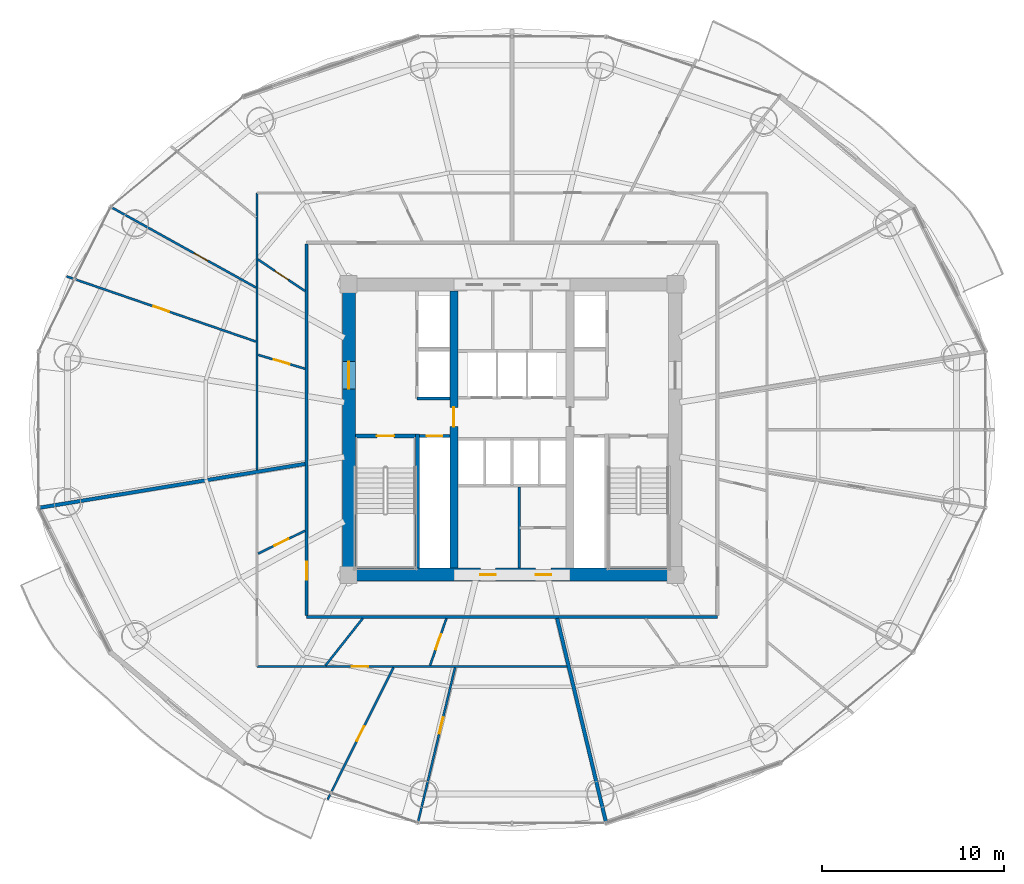
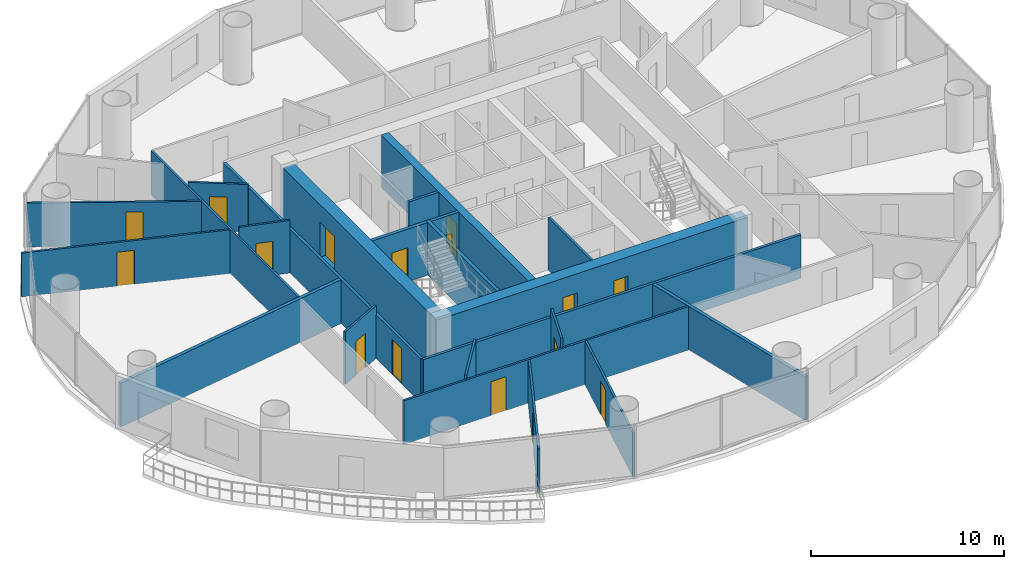
# One storey, part 22 of 29: 23 walls, 16 doors, 16 openings.
"""IFC4 building model written with IfcOpenShell, lengths in metres."""

from ifc_helpers import new_model, si_unit, direction, frame, frame_2d, origin, place, context, subcontext, project, spatial, rectangle, extrude, source, transform, mapped, material, layer, layer_set, type_object, element, fill, save


model = new_model("IFC4")

# Units and contexts
model_context = context("Model", 3, precision=1e-05, world=origin(), true_north=direction((-0.2419218956, 0.970295726276)))
body_context = subcontext(model_context, "Body", "Model", "MODEL_VIEW")
ifc_project = project(units=[si_unit("LENGTHUNIT", "METRE"), si_unit("AREAUNIT", "SQUARE_METRE"), si_unit("VOLUMEUNIT", "CUBIC_METRE"), si_unit("PLANEANGLEUNIT", "RADIAN"), si_unit("MASSUNIT", "GRAM", prefix="KILO")], contexts=[model_context])

# Site, building, storey
site_placement = place(None, origin())
site = spatial("IfcSite", under=ifc_project, at=site_placement, CompositionType="ELEMENT")
building_placement = place(site_placement, origin())
building = spatial("IfcBuilding", under=site, at=building_placement, Name="Cobrevalo Terracotta Tower", CompositionType="ELEMENT")
storey_placement = place(building_placement, frame((0.0, 0.0, 83.39990234375)))
storey = spatial("IfcBuildingStorey", under=building, at=storey_placement, Name="L21", CompositionType="ELEMENT", Elevation=83.39990234375)

# Wall, openings, doors
ifc_material_1 = material(Name="Concrete C60", Category="concrete")
ifc_layer_1 = layer(ifc_material_1, 0.699951171875)
ifc_layer_set_1 = layer_set([ifc_layer_1], Name="Concrete C60")
wall_type_1 = type_object("IfcWallType", Name="Core shear wall 700 mm Concrete C60", PredefinedType="SHEAR", material=ifc_layer_set_1)
wall_1_placement = place(storey_placement, frame((28.675048828125, 18.824951171875, 0.0), z_axis=(0.0, 0.0, 1.0), x_axis=(1.0, 0.0, 0.0)))
wall_1 = element("IfcWall", 1, at=wall_1_placement, inside=storey, type_object=wall_type_1, Name="L21 south core shear wall", PredefinedType="SHEAR", context=body_context, shape_type="SweptSolid", body=[
    extrude(rectangle(XDim=18.64990234375, YDim=0.699951171875, at=frame_2d((9.324951171875, 0.0))), origin(), (0.0, 0.0, 1.0), 3.3251953125),
])
opening_1_placement = place(wall_1_placement, frame((7.577392578125, 0.0, 0.0)))
opening_1 = element("IfcOpeningElement", 2, at=opening_1_placement, cuts=wall_1, Name="Opening ID-22", PredefinedType="OPENING", context=body_context, shape_type="SweptSolid", body=[
    extrude(rectangle(XDim=0.85009765625, YDim=2.10009765625, at=frame_2d((0.425048828125, 1.050048828125))), frame((0.0, 0.35986328125, 0.0), z_axis=(0.0, -1.0, 0.0), x_axis=(1.0, 0.0, 0.0)), (0.0, 0.0, 1.0), 0.719970703125),
])
opening_2_placement = place(wall_1_placement, frame((10.62255859375, 0.0, 0.0)))
opening_2 = element("IfcOpeningElement", 3, at=opening_2_placement, cuts=wall_1, Name="Opening ID-22", PredefinedType="OPENING", context=body_context, shape_type="SweptSolid", body=[
    extrude(rectangle(XDim=0.85009765625, YDim=2.10009765625, at=frame_2d((0.425048828125, 1.050048828125))), frame((0.0, 0.35986328125, 0.0), z_axis=(0.0, -1.0, 0.0), x_axis=(1.0, 0.0, 0.0)), (0.0, 0.0, 1.0), 0.719970703125),
])
ifc_material_2 = material(Name="Powder-coated steel", Category="steel")
door_type_1 = type_object("IfcDoorType", Name="Riser shaft & meter closet fire access door 850x2100 EI 60", OperationType="NOTDEFINED", PredefinedType="DOOR", material=ifc_material_2)
shared_shape_1 = source(origin(), body_context, "Body", "SweptSolid", [
    extrude(rectangle(XDim=0.85009765625, YDim=2.10009765625, at=frame_2d((0.425048828125, 1.050048828125))), frame((0.0, 0.02490234375, 0.0), z_axis=(0.0, -1.0, 0.0), x_axis=(1.0, 0.0, 0.0)), (0.0, 0.0, 1.0), 0.050048828125),
])
door_1_placement = place(opening_1_placement, origin())
door_1 = element("IfcDoor", 4, at=door_1_placement, inside=storey, type_object=door_type_1, Name="L21 core south plant door Floor AHU Mechanical Plant", OperationType="SINGLE_SWING_RIGHT", OverallHeight=2.10009765625, OverallWidth=0.85009765625, PredefinedType="DOOR", context=body_context, shape_type="MappedRepresentation", body=[
    mapped(shared_shape_1, transform((0.0, 0.0, 0.0), scale=1.0)),
])
fill(opening_1, door_1)
door_2_placement = place(opening_2_placement, origin())
door_2 = element("IfcDoor", 5, at=door_2_placement, inside=storey, type_object=door_type_1, Name="L21 core south plant door Sprinkler Valve Plant", OperationType="SINGLE_SWING_RIGHT", OverallHeight=2.10009765625, OverallWidth=0.85009765625, PredefinedType="DOOR", context=body_context, shape_type="MappedRepresentation", body=[
    mapped(shared_shape_1, transform((0.0, 0.0, 0.0), scale=1.0)),
])
fill(opening_2, door_2)

# Wall, opening, door
wall_2_placement = place(storey_placement, frame((29.02490234375, 19.175048828125, 0.0), z_axis=(0.0, 0.0, 1.0), x_axis=(0.0, 1.0, 0.0)))
wall_2 = element("IfcWall", 6, at=wall_2_placement, inside=storey, type_object=wall_type_1, Name="L21 west core shear wall", PredefinedType="SHEAR", context=body_context, shape_type="SweptSolid", body=[
    extrude(rectangle(XDim=15.25, YDim=0.699951171875, at=frame_2d((7.625, 0.0))), origin(), (0.0, 0.0, 1.0), 3.3251953125),
])
opening_3_placement = place(wall_2_placement, frame((9.875, 0.0, 0.0)))
opening_3 = element("IfcOpeningElement", 7, at=opening_3_placement, cuts=wall_2, Name="Opening ID-14", PredefinedType="OPENING", context=body_context, shape_type="SweptSolid", body=[
    extrude(rectangle(XDim=1.5, YDim=2.199951171875, at=frame_2d((0.75, 1.10009765625))), frame((0.0, 0.35986328125, 0.0), z_axis=(0.0, -1.0, 0.0), x_axis=(1.0, 0.0, 0.0)), (0.0, 0.0, 1.0), 0.719970703125),
])
ifc_material_3 = material(Name="Galvanized fire-rated steel", Category="steel")
door_type_2 = type_object("IfcDoorType", Name="Core cross-lobby double fire door 1500x2200 EI 90", OperationType="NOTDEFINED", PredefinedType="DOOR", material=ifc_material_3)
shared_shape_2 = source(origin(), body_context, "Body", "SweptSolid", [
    extrude(rectangle(XDim=1.5, YDim=2.199951171875, at=frame_2d((0.75, 1.10009765625))), frame((0.0, 0.02490234375, 0.0), z_axis=(0.0, -1.0, 0.0), x_axis=(1.0, 0.0, 0.0)), (0.0, 0.0, 1.0), 0.050048828125),
])
door_3_placement = place(opening_3_placement, origin())
door_3 = element("IfcDoor", 8, at=door_3_placement, inside=storey, type_object=door_type_2, Name="L21 west firefighting lobby entrance door", OperationType="DOUBLE_DOOR_SINGLE_SWING", OverallHeight=2.199951171875, OverallWidth=1.5, PredefinedType="DOOR", context=body_context, shape_type="MappedRepresentation", body=[
    mapped(shared_shape_2, transform((0.0, 0.0, 0.0), scale=1.0)),
])
fill(opening_3, door_3)

# Walls
ifc_material_4 = material(Name="Gypsum board on steel stud", Category="steel")
ifc_layer_2 = layer(ifc_material_4, 0.159912109375)
ifc_layer_set_2 = layer_set([ifc_layer_2], Name="Gypsum board on steel stud")
wall_type_2 = type_object("IfcWallType", Name="Fire-rated corridor acoustic partition wall 160 mm", PredefinedType="PARTITIONING", material=ifc_layer_set_2)
wall_3_placement = place(storey_placement, frame((32.77001953125, 28.52001953125, 0.0), z_axis=(0.0, 0.0, 1.0), x_axis=(1.0, 0.0, 0.0)))
element("IfcWall", 9, at=wall_3_placement, inside=storey, type_object=wall_type_2, Name="L21 interior partition IW-L21-FF1-S", PredefinedType="PARTITIONING", context=body_context, shape_type="SweptSolid", body=[
    extrude(rectangle(XDim=1.804931640625, YDim=0.159912109375, at=frame_2d((0.90234375, 0.0))), origin(), (0.0, 0.0, 1.0), 3.3251953125),
])
wall_4_placement = place(storey_placement, frame((26.695068359375, 16.4951171875, 0.0), z_axis=(0.0, 0.0, 1.0), x_axis=(1.0, 0.0, 0.0)))
element("IfcWall", 10, at=wall_4_placement, inside=storey, type_object=wall_type_2, Name="L21 interior partition IW-L21-COR-S", PredefinedType="PARTITIONING", context=body_context, shape_type="SweptSolid", body=[
    extrude(rectangle(XDim=22.60986328125, YDim=0.159912109375, at=frame_2d((11.304931640625, 0.0))), origin(), (0.0, 0.0, 1.0), 2.76708984375),
])

# Wall, opening, door
wall_5_placement = place(storey_placement, frame((26.695068359375, 16.574951171875, 0.0), z_axis=(0.0, 0.0, 1.0), x_axis=(0.0, 1.0, 0.0)))
wall_5 = element("IfcWall", 11, at=wall_5_placement, inside=storey, type_object=wall_type_2, Name="L21 interior partition IW-L21-COR-W", PredefinedType="PARTITIONING", context=body_context, shape_type="SweptSolid", body=[
    extrude(rectangle(XDim=20.449951171875, YDim=0.159912109375, at=frame_2d((10.22509765625, 0.0))), origin(), (0.0, 0.0, 1.0), 2.76708984375),
])
opening_4_placement = place(wall_5_placement, frame((1.977294921875, 0.0, 0.0)))
opening_4 = element("IfcOpeningElement", 12, at=opening_4_placement, cuts=wall_5, Name="Opening ID-05", PredefinedType="OPENING", context=body_context, shape_type="SweptSolid", body=[
    extrude(rectangle(XDim=0.97998046875, YDim=2.199951171875, at=frame_2d((0.489990234375, 1.10009765625))), frame((0.0, 0.08984375, 0.0), z_axis=(0.0, -1.0, 0.0), x_axis=(1.0, 0.0, 0.0)), (0.0, 0.0, 1.0), 0.179931640625),
])
ifc_material_5 = material(Name="Solid hardwood timber", Category="wood")
door_type_3 = type_object("IfcDoorType", Name="Residence entrance fire-rated acoustic timber door 980x2200 EI 60", OperationType="NOTDEFINED", PredefinedType="DOOR", material=ifc_material_5)
shared_shape_3 = source(origin(), body_context, "Body", "SweptSolid", [
    extrude(rectangle(XDim=0.97998046875, YDim=2.199951171875, at=frame_2d((0.489990234375, 1.10009765625))), frame((0.0, 0.02490234375, 0.0), z_axis=(0.0, -1.0, 0.0), x_axis=(1.0, 0.0, 0.0)), (0.0, 0.0, 1.0), 0.050048828125),
])
door_4_placement = place(opening_4_placement, origin())
door_4 = element("IfcDoor", 13, at=door_4_placement, inside=storey, type_object=door_type_3, Name="Flat L21C fire-rated apartment entrance door", OperationType="SINGLE_SWING_LEFT", OverallHeight=2.199951171875, OverallWidth=0.97998046875, PredefinedType="DOOR", context=body_context, shape_type="MappedRepresentation", body=[
    mapped(shared_shape_3, transform((0.0, 0.0, 0.0), scale=1.0)),
])
fill(opening_4, door_4)

ifc_layer_3 = layer(ifc_material_4, 0.179931640625)
ifc_layer_set_3 = layer_set([ifc_layer_3], Name="Gypsum board on steel stud")
wall_type_3 = type_object("IfcWallType", Name="Fire-rated shaft & lobby acoustic partition wall 180 mm", PredefinedType="PARTITIONING", material=ifc_layer_set_3)
wall_6_placement = place(storey_placement, frame((32.89990234375, 26.449951171875, 0.0), z_axis=(0.0, 0.0, 1.0), x_axis=(1.0, 0.0, 0.0)))
wall_6 = element("IfcWall", 14, at=wall_6_placement, inside=storey, type_object=wall_type_3, Name="L21 interior partition IW-L21-RSW-N", PredefinedType="PARTITIONING", context=body_context, shape_type="SweptSolid", body=[
    extrude(rectangle(XDim=1.675048828125, YDim=0.179931640625, at=frame_2d((0.83740234375, 0.0))), origin(), (0.0, 0.0, 1.0), 3.3251953125),
])
opening_5_placement = place(wall_6_placement, frame((0.41259765625, 0.0, 0.0)))
opening_5 = element("IfcOpeningElement", 15, at=opening_5_placement, cuts=wall_6, Name="Opening ID-22", PredefinedType="OPENING", context=body_context, shape_type="SweptSolid", body=[
    extrude(rectangle(XDim=0.85009765625, YDim=2.10009765625, at=frame_2d((0.425048828125, 1.050048828125))), frame((0.0, 0.10009765625, 0.0), z_axis=(0.0, -1.0, 0.0), x_axis=(1.0, 0.0, 0.0)), (0.0, 0.0, 1.0), 0.199951171875),
])
door_5_placement = place(opening_5_placement, origin())
door_5 = element("IfcDoor", 16, at=door_5_placement, inside=storey, type_object=door_type_1, Name="L21 riser access door RSW", OperationType="SINGLE_SWING_LEFT", OverallHeight=2.10009765625, OverallWidth=0.85009765625, PredefinedType="DOOR", context=body_context, shape_type="MappedRepresentation", body=[
    mapped(shared_shape_1, transform((0.0, 0.0, 0.0), scale=1.0)),
])
fill(opening_5, door_5)

# Walls
ifc_material_6 = material(Name="Autoclaved aerated concrete block", Category="concrete")
ifc_layer_4 = layer(ifc_material_6, 0.199951171875)
ifc_layer_set_4 = layer_set([ifc_layer_4], Name="Autoclaved aerated concrete block")
wall_type_4 = type_object("IfcWallType", Name="Fire-rated stair, shaft & demising masonry wall 200 mm", PredefinedType="PARTITIONING", material=ifc_layer_set_4)
wall_7_placement = place(storey_placement, frame((26.614990234375, 24.91845703125, 0.0), z_axis=(0.0, 0.0, 1.0), x_axis=(-0.986618789677, -0.163044054958, 0.0)))
element("IfcWall", 17, at=wall_7_placement, inside=storey, type_object=wall_type_4, Name="L21 interior partition IW-L21-DEM-3", PredefinedType="PARTITIONING", context=body_context, shape_type="SweptSolid", body=[
    extrude(rectangle(XDim=14.78662109375, YDim=0.199951171875, at=frame_2d((7.393310546875, 0.0))), origin(), (0.0, 0.0, 1.0), 2.76708984375),
])
wall_8_placement = place(storey_placement, frame((40.486328125, 16.4150390625, 0.0), z_axis=(0.0, 0.0, 1.0), x_axis=(0.232829417917, -0.972517589636, 0.0)))
element("IfcWall", 18, at=wall_8_placement, inside=storey, type_object=wall_type_4, Name="L21 interior partition IW-L21-DEM-4", PredefinedType="PARTITIONING", context=body_context, shape_type="SweptSolid", body=[
    extrude(rectangle(XDim=11.501953125, YDim=0.199951171875, at=frame_2d((5.7509765625, 0.0))), origin(), (0.0, 0.0, 1.0), 2.76708984375),
])

# Wall, opening, door
ifc_material_7 = material(Name="Concrete C55", Category="concrete")
ifc_layer_5 = layer(ifc_material_7, 0.449951171875)
ifc_layer_set_5 = layer_set([ifc_layer_5], Name="Concrete C55")
wall_type_5 = type_object("IfcWallType", Name="Internal core shear web wall 450 mm Concrete C55", PredefinedType="SHEAR", material=ifc_layer_set_5)
wall_9_placement = place(storey_placement, frame((34.800048828125, 19.175048828125, 0.0), z_axis=(0.0, 0.0, 1.0), x_axis=(0.0, 1.0, 0.0)))
wall_9 = element("IfcWall", 19, at=wall_9_placement, inside=storey, type_object=wall_type_5, Name="L21 internal core shear wall WEB-W", PredefinedType="SHEAR", context=body_context, shape_type="SweptSolid", body=[
    extrude(rectangle(XDim=15.25, YDim=0.449951171875, at=frame_2d((7.625, 0.0))), origin(), (0.0, 0.0, 1.0), 3.3251953125),
])
opening_6_placement = place(wall_9_placement, frame((7.800048828125, 0.0, 0.0)))
opening_6 = element("IfcOpeningElement", 20, at=opening_6_placement, cuts=wall_9, Name="Opening ID-11", PredefinedType="OPENING", context=body_context, shape_type="SweptSolid", body=[
    extrude(rectangle(XDim=1.050048828125, YDim=2.14990234375, at=frame_2d((0.52490234375, 1.074951171875))), frame((0.0, 0.23486328125, 0.0), z_axis=(0.0, -1.0, 0.0), x_axis=(1.0, 0.0, 0.0)), (0.0, 0.0, 1.0), 0.469970703125),
])
door_type_4 = type_object("IfcDoorType", Name="Core concourse cross fire door 1050x2150 EI 90", OperationType="NOTDEFINED", PredefinedType="DOOR", material=ifc_material_3)
shared_shape_4 = source(origin(), body_context, "Body", "SweptSolid", [
    extrude(rectangle(XDim=1.050048828125, YDim=2.14990234375, at=frame_2d((0.52490234375, 1.074951171875))), frame((0.0, 0.02490234375, 0.0), z_axis=(0.0, -1.0, 0.0), x_axis=(1.0, 0.0, 0.0)), (0.0, 0.0, 1.0), 0.050048828125),
])
door_6_placement = place(opening_6_placement, origin())
door_6 = element("IfcDoor", 21, at=door_6_placement, inside=storey, type_object=door_type_4, Name="L21 west core concourse cross door", OperationType="SINGLE_SWING_LEFT", OverallHeight=2.14990234375, OverallWidth=1.050048828125, PredefinedType="DOOR", context=body_context, shape_type="MappedRepresentation", body=[
    mapped(shared_shape_4, transform((0.0, 0.0, 0.0), scale=1.0)),
])
fill(opening_6, door_6)

# Walls
ifc_layer_6 = layer(ifc_material_6, 0.139892578125)
ifc_layer_set_6 = layer_set([ifc_layer_6], Name="Autoclaved aerated concrete block")
wall_type_6 = type_object("IfcWallType", Name="Moisture-resistant wet-room & core service partition 140 mm", PredefinedType="PARTITIONING", material=ifc_layer_set_6)
wall_10_placement = place(storey_placement, frame((38.39990234375, 19.175048828125, 0.0), z_axis=(0.0, 0.0, 1.0), x_axis=(0.0, 1.0, 0.0)))
element("IfcWall", 22, at=wall_10_placement, inside=storey, type_object=wall_type_6, Name="L21 interior partition IW-L21-KVS-L1", PredefinedType="PARTITIONING", context=body_context, shape_type="SweptSolid", body=[
    extrude(rectangle(XDim=4.46484375, YDim=0.139892578125, at=frame_2d((2.232421875, 0.0))), origin(), (0.0, 0.0, 1.0), 3.3251953125),
])
ifc_layer_7 = layer(ifc_material_4, 0.1201171875)
ifc_layer_set_7 = layer_set([ifc_layer_7], Name="Gypsum board on steel stud")
wall_type_7 = type_object("IfcWallType", Name="Residential internal acoustic stud partition 120 mm", PredefinedType="PARTITIONING", material=ifc_layer_set_7)
wall_11_placement = place(storey_placement, frame((23.965087890625, 24.58251953125, 0.0), z_axis=(0.0, 0.0, 1.0), x_axis=(0.0, 1.0, 0.0)))
element("IfcWall", 23, at=wall_11_placement, inside=storey, type_object=wall_type_7, Name="L21 interior partition IW-L21-U2-RING0_0", PredefinedType="PARTITIONING", context=body_context, shape_type="SweptSolid", body=[
    extrude(rectangle(XDim=15.25244140625, YDim=0.1201171875, at=frame_2d((7.626220703125, 0.0))), origin(), (0.0, 0.0, 1.0), 2.76708984375),
])

# Wall, opening, door
wall_12_placement = place(storey_placement, frame((23.910888671875, 34.62158203125, 0.0), z_axis=(0.0, 0.0, 1.0), x_axis=(-0.874324904351, 0.485341077626, 0.0)))
wall_12 = element("IfcWall", 24, at=wall_12_placement, inside=storey, type_object=wall_type_7, Name="L21 interior partition IW-L21-U2-ORAD2M1", PredefinedType="PARTITIONING", context=body_context, shape_type="SweptSolid", body=[
    extrude(rectangle(XDim=9.065673828125, YDim=0.1201171875, at=frame_2d((4.53271484375, 0.0))), origin(), (0.0, 0.0, 1.0), 2.76708984375),
])
opening_7_placement = place(wall_12_placement, frame((3.015625, 0.0, 0.0)))
opening_7 = element("IfcOpeningElement", 25, at=opening_7_placement, cuts=wall_12, Name="Opening ID-12", PredefinedType="OPENING", context=body_context, shape_type="SweptSolid", body=[
    extrude(rectangle(XDim=0.89990234375, YDim=2.14990234375, at=frame_2d((0.449951171875, 1.074951171875))), frame((0.0, 0.070068359375, 0.0), z_axis=(0.0, -1.0, 0.0), x_axis=(1.0, 0.0, 0.0)), (0.0, 0.0, 1.0), 0.14013671875),
])
ifc_material_8 = material(Name="Engineered timber", Category="wood")
door_type_5 = type_object("IfcDoorType", Name="Internal residence & suite timber door 900x2150", OperationType="NOTDEFINED", PredefinedType="DOOR", material=ifc_material_8)
shared_shape_5 = source(origin(), body_context, "Body", "SweptSolid", [
    extrude(rectangle(XDim=0.89990234375, YDim=2.14990234375, at=frame_2d((0.449951171875, 1.074951171875))), frame((0.0, 0.02490234375, 0.0), z_axis=(0.0, -1.0, 0.0), x_axis=(1.0, 0.0, 0.0)), (0.0, 0.0, 1.0), 0.050048828125),
])
door_7_placement = place(opening_7_placement, origin())
door_7 = element("IfcDoor", 26, at=door_7_placement, inside=storey, type_object=door_type_5, Name="Flat L21B Principal Guest Bedroom internal door", OperationType="SINGLE_SWING_LEFT", OverallHeight=2.14990234375, OverallWidth=0.89990234375, PredefinedType="DOOR", context=body_context, shape_type="MappedRepresentation", body=[
    mapped(shared_shape_5, transform((0.0, 0.0, 0.0), scale=1.0)),
])
fill(opening_7, door_7)

wall_13_placement = place(storey_placement, frame((23.90625, 31.650146484375, 0.0), z_axis=(0.0, 0.0, 1.0), x_axis=(-0.945573120726, 0.32540970078, 0.0)))
wall_13 = element("IfcWall", 27, at=wall_13_placement, inside=storey, type_object=wall_type_7, Name="L21 interior partition IW-L21-U2-ORAD2", PredefinedType="PARTITIONING", context=body_context, shape_type="SweptSolid", body=[
    extrude(rectangle(XDim=11.02197265625, YDim=0.1201171875, at=frame_2d((5.510986328125, 0.0))), origin(), (0.0, 0.0, 1.0), 2.76708984375),
])
opening_8_placement = place(wall_13_placement, frame((5.06103515625, 0.0, 0.0)))
opening_8 = element("IfcOpeningElement", 28, at=opening_8_placement, cuts=wall_13, Name="Opening ID-12", PredefinedType="OPENING", context=body_context, shape_type="SweptSolid", body=[
    extrude(rectangle(XDim=0.89990234375, YDim=2.14990234375, at=frame_2d((0.449951171875, 1.074951171875))), frame((0.0, 0.070068359375, 0.0), z_axis=(0.0, -1.0, 0.0), x_axis=(1.0, 0.0, 0.0)), (0.0, 0.0, 1.0), 0.14013671875),
])
door_8_placement = place(opening_8_placement, origin())
door_8 = element("IfcDoor", 29, at=door_8_placement, inside=storey, type_object=door_type_5, Name="Flat L21B Penthouse Family Lounge internal door", OperationType="SINGLE_SWING_RIGHT", OverallHeight=2.14990234375, OverallWidth=0.89990234375, PredefinedType="DOOR", context=body_context, shape_type="MappedRepresentation", body=[
    mapped(shared_shape_5, transform((0.0, 0.0, 0.0), scale=1.0)),
])
fill(opening_8, door_8)

wall_14_placement = place(storey_placement, frame((26.614990234375, 34.426513671875, 0.0), z_axis=(0.0, 0.0, 1.0), x_axis=(-0.830799215213, 0.556572245088, 0.0)))
wall_14 = element("IfcWall", 30, at=wall_14_placement, inside=storey, type_object=wall_type_7, Name="L21 interior partition IW-L21-U2-IRAD2", PredefinedType="PARTITIONING", context=body_context, shape_type="SweptSolid", body=[
    extrude(rectangle(XDim=3.127685546875, YDim=0.1201171875, at=frame_2d((1.56396484375, 0.0))), origin(), (0.0, 0.0, 1.0), 3.004150390625),
])
opening_9_placement = place(wall_14_placement, frame((1.11376953125, 0.0, 0.0)))
opening_9 = element("IfcOpeningElement", 31, at=opening_9_placement, cuts=wall_14, Name="Opening ID-12", PredefinedType="OPENING", context=body_context, shape_type="SweptSolid", body=[
    extrude(rectangle(XDim=0.89990234375, YDim=2.14990234375, at=frame_2d((0.449951171875, 1.074951171875))), frame((0.0, 0.070068359375, 0.0), z_axis=(0.0, -1.0, 0.0), x_axis=(1.0, 0.0, 0.0)), (0.0, 0.0, 1.0), 0.14013671875),
])
door_9_placement = place(opening_9_placement, origin())
door_9 = element("IfcDoor", 32, at=door_9_placement, inside=storey, type_object=door_type_5, Name="Flat L21B Kitchen internal door", OperationType="SINGLE_SWING_RIGHT", OverallHeight=2.14990234375, OverallWidth=0.89990234375, PredefinedType="DOOR", context=body_context, shape_type="MappedRepresentation", body=[
    mapped(shared_shape_5, transform((0.0, 0.0, 0.0), scale=1.0)),
])
fill(opening_9, door_9)

wall_15_placement = place(storey_placement, frame((26.614990234375, 30.15380859375, 0.0), z_axis=(0.0, 0.0, 1.0), x_axis=(-0.959264672883, 0.282508915537, 0.0)))
wall_15 = element("IfcWall", 33, at=wall_15_placement, inside=storey, type_object=wall_type_7, Name="L21 interior partition IW-L21-U2-IRAD3", PredefinedType="PARTITIONING", context=body_context, shape_type="SweptSolid", body=[
    extrude(rectangle(XDim=2.70068359375, YDim=0.1201171875, at=frame_2d((1.350341796875, 0.0))), origin(), (0.0, 0.0, 1.0), 3.3251953125),
])
opening_10_placement = place(wall_15_placement, frame((0.900390625, 0.0, 0.0)))
opening_10 = element("IfcOpeningElement", 34, at=opening_10_placement, cuts=wall_15, Name="Opening ID-12", PredefinedType="OPENING", context=body_context, shape_type="SweptSolid", body=[
    extrude(rectangle(XDim=0.89990234375, YDim=2.14990234375, at=frame_2d((0.449951171875, 1.074951171875))), frame((0.0, 0.070068359375, 0.0), z_axis=(0.0, -1.0, 0.0), x_axis=(1.0, 0.0, 0.0)), (0.0, 0.0, 1.0), 0.14013671875),
])
door_10_placement = place(opening_10_placement, origin())
door_10 = element("IfcDoor", 35, at=door_10_placement, inside=storey, type_object=door_type_5, Name="Flat L21B Private Wellness Room internal door", OperationType="SINGLE_SWING_LEFT", OverallHeight=2.14990234375, OverallWidth=0.89990234375, PredefinedType="DOOR", context=body_context, shape_type="MappedRepresentation", body=[
    mapped(shared_shape_5, transform((0.0, 0.0, 0.0), scale=1.0)),
])
fill(opening_10, door_10)

wall_16_placement = place(storey_placement, frame((41.018798828125, 13.764892578125, 0.0), z_axis=(0.0, 0.0, 1.0), x_axis=(-1.0, 0.0, 0.0)))
wall_16 = element("IfcWall", 36, at=wall_16_placement, inside=storey, type_object=wall_type_7, Name="L21 interior partition IW-L21-U3-RING0_0", PredefinedType="PARTITIONING", context=body_context, shape_type="SweptSolid", body=[
    extrude(rectangle(XDim=17.0537109375, YDim=0.1201171875, at=frame_2d((8.52685546875, 0.0))), origin(), (0.0, 0.0, 1.0), 2.76708984375),
])
opening_11_placement = place(wall_16_placement, frame((10.932861328125, 0.0, 0.0)))
opening_11 = element("IfcOpeningElement", 37, at=opening_11_placement, cuts=wall_16, Name="Opening ID-12", PredefinedType="OPENING", context=body_context, shape_type="SweptSolid", body=[
    extrude(rectangle(XDim=0.89990234375, YDim=2.14990234375, at=frame_2d((0.449951171875, 1.074951171875))), frame((0.0, 0.070068359375, 0.0), z_axis=(0.0, -1.0, 0.0), x_axis=(1.0, 0.0, 0.0)), (0.0, 0.0, 1.0), 0.14013671875),
])
door_11_placement = place(opening_11_placement, frame((0.89990234375, 0.0, 0.0), z_axis=(0.0, 0.0, 1.0), x_axis=(-1.0, 0.0, 0.0)))
door_11 = element("IfcDoor", 38, at=door_11_placement, inside=storey, type_object=door_type_5, Name="Flat L21C Kitchen internal door", OperationType="SINGLE_SWING_RIGHT", OverallHeight=2.14990234375, OverallWidth=0.89990234375, PredefinedType="DOOR", context=body_context, shape_type="MappedRepresentation", body=[
    mapped(shared_shape_5, transform((0.0, 0.0, 0.0), scale=1.0)),
])
fill(opening_11, door_11)

wall_17_placement = place(storey_placement, frame((31.4736328125, 13.70947265625, 0.0), z_axis=(0.0, 0.0, 1.0), x_axis=(-0.446179583353, -0.894943450392, 0.0)))
wall_17 = element("IfcWall", 39, at=wall_17_placement, inside=storey, type_object=wall_type_7, Name="L21 interior partition IW-L21-U3-ORAD1", PredefinedType="PARTITIONING", context=body_context, shape_type="SweptSolid", body=[
    extrude(rectangle(XDim=8.12451171875, YDim=0.1201171875, at=frame_2d((4.062255859375, 0.0))), origin(), (0.0, 0.0, 1.0), 2.76708984375),
])
opening_12_placement = place(wall_17_placement, frame((3.6123046875, 0.0, 0.0)))
opening_12 = element("IfcOpeningElement", 40, at=opening_12_placement, cuts=wall_17, Name="Opening ID-12", PredefinedType="OPENING", context=body_context, shape_type="SweptSolid", body=[
    extrude(rectangle(XDim=0.89990234375, YDim=2.14990234375, at=frame_2d((0.449951171875, 1.074951171875))), frame((0.0, 0.070068359375, 0.0), z_axis=(0.0, -1.0, 0.0), x_axis=(1.0, 0.0, 0.0)), (0.0, 0.0, 1.0), 0.14013671875),
])
door_12_placement = place(opening_12_placement, origin())
door_12 = element("IfcDoor", 41, at=door_12_placement, inside=storey, type_object=door_type_5, Name="Flat L21C Master Bedroom internal door", OperationType="SINGLE_SWING_RIGHT", OverallHeight=2.14990234375, OverallWidth=0.89990234375, PredefinedType="DOOR", context=body_context, shape_type="MappedRepresentation", body=[
    mapped(shared_shape_5, transform((0.0, 0.0, 0.0), scale=1.0)),
])
fill(opening_12, door_12)

wall_18_placement = place(storey_placement, frame((34.86474609375, 13.70458984375, 0.0), z_axis=(0.0, 0.0, 1.0), x_axis=(-0.23282725047, -0.97251810854, 0.0)))
wall_18 = element("IfcWall", 42, at=wall_18_placement, inside=storey, type_object=wall_type_7, Name="L21 interior partition IW-L21-U3-ORAD2M1", PredefinedType="PARTITIONING", context=body_context, shape_type="SweptSolid", body=[
    extrude(rectangle(XDim=8.71484375, YDim=0.1201171875, at=frame_2d((4.357421875, 0.0))), origin(), (0.0, 0.0, 1.0), 2.76708984375),
])
opening_13_placement = place(wall_18_placement, frame((2.83056640625, 0.0, 0.0)))
opening_13 = element("IfcOpeningElement", 43, at=opening_13_placement, cuts=wall_18, Name="Opening ID-12", PredefinedType="OPENING", context=body_context, shape_type="SweptSolid", body=[
    extrude(rectangle(XDim=0.89990234375, YDim=2.14990234375, at=frame_2d((0.449951171875, 1.074951171875))), frame((0.0, 0.070068359375, 0.0), z_axis=(0.0, -1.0, 0.0), x_axis=(1.0, 0.0, 0.0)), (0.0, 0.0, 1.0), 0.14013671875),
])
door_13_placement = place(opening_13_placement, origin())
door_13 = element("IfcDoor", 44, at=door_13_placement, inside=storey, type_object=door_type_5, Name="Flat L21C Penthouse Family Lounge internal door", OperationType="SINGLE_SWING_LEFT", OverallHeight=2.14990234375, OverallWidth=0.89990234375, PredefinedType="DOOR", context=body_context, shape_type="MappedRepresentation", body=[
    mapped(shared_shape_5, transform((0.0, 0.0, 0.0), scale=1.0)),
])
fill(opening_13, door_13)

wall_19_placement = place(storey_placement, frame((26.614990234375, 21.2412109375, 0.0), z_axis=(0.0, 0.0, 1.0), x_axis=(-0.898615592274, -0.438736842906, 0.0)))
wall_19 = element("IfcWall", 45, at=wall_19_placement, inside=storey, type_object=wall_type_7, Name="L21 interior partition IW-L21-U3-IRAD1", PredefinedType="PARTITIONING", context=body_context, shape_type="SweptSolid", body=[
    extrude(rectangle(XDim=2.886962890625, YDim=0.1201171875, at=frame_2d((1.443359375, 0.0))), origin(), (0.0, 0.0, 1.0), 3.3251953125),
])
opening_14_placement = place(wall_19_placement, frame((1.013427734375, 0.0, 0.0)))
opening_14 = element("IfcOpeningElement", 46, at=opening_14_placement, cuts=wall_19, Name="Opening ID-19", PredefinedType="OPENING", context=body_context, shape_type="SweptSolid", body=[
    extrude(rectangle(XDim=0.860107421875, YDim=2.14990234375, at=frame_2d((0.43017578125, 1.074951171875))), frame((0.0, 0.070068359375, 0.0), z_axis=(0.0, -1.0, 0.0), x_axis=(1.0, 0.0, 0.0)), (0.0, 0.0, 1.0), 0.14013671875),
])
ifc_material_9 = material(Name="Moisture-sealed timber", Category="wood")
door_type_6 = type_object("IfcDoorType", Name="Suite bathroom internal timber door 860x2150", OperationType="NOTDEFINED", PredefinedType="DOOR", material=ifc_material_9)
shared_shape_6 = source(origin(), body_context, "Body", "SweptSolid", [
    extrude(rectangle(XDim=0.860107421875, YDim=2.14990234375, at=frame_2d((0.43017578125, 1.074951171875))), frame((0.0, 0.02490234375, 0.0), z_axis=(0.0, -1.0, 0.0), x_axis=(1.0, 0.0, 0.0)), (0.0, 0.0, 1.0), 0.050048828125),
])
door_14_placement = place(opening_14_placement, frame((0.860107421875, 0.0, 0.0), z_axis=(0.0, 0.0, 1.0), x_axis=(-1.0, 0.0, 0.0)))
door_14 = element("IfcDoor", 47, at=door_14_placement, inside=storey, type_object=door_type_6, Name="Flat L21C Primary Bathroom internal door", OperationType="SINGLE_SWING_RIGHT", OverallHeight=2.14990234375, OverallWidth=0.860107421875, PredefinedType="DOOR", context=body_context, shape_type="MappedRepresentation", body=[
    mapped(shared_shape_6, transform((0.0, 0.0, 0.0), scale=1.0)),
])
fill(opening_14, door_14)

# Wall
wall_20_placement = place(storey_placement, frame((29.78662109375, 16.4150390625, 0.0), z_axis=(0.0, 0.0, 1.0), x_axis=(-0.62033143471, -0.784339793145, 0.0)))
element("IfcWall", 48, at=wall_20_placement, inside=storey, type_object=wall_type_7, Name="L21 interior partition IW-L21-U3-IRAD2", PredefinedType="PARTITIONING", context=body_context, shape_type="SweptSolid", body=[
    extrude(rectangle(XDim=3.316650390625, YDim=0.1201171875, at=frame_2d((1.658203125, 0.0))), origin(), (0.0, 0.0, 1.0), 3.004150390625),
])

# Wall, opening, door
wall_21_placement = place(storey_placement, frame((34.3916015625, 16.4150390625, 0.0), z_axis=(0.0, 0.0, 1.0), x_axis=(-0.328268661855, -0.94458439837, 0.0)))
wall_21 = element("IfcWall", 49, at=wall_21_placement, inside=storey, type_object=wall_type_7, Name="L21 interior partition IW-L21-U3-IRAD3", PredefinedType="PARTITIONING", context=body_context, shape_type="SweptSolid", body=[
    extrude(rectangle(XDim=2.74365234375, YDim=0.1201171875, at=frame_2d((1.371826171875, 0.0))), origin(), (0.0, 0.0, 1.0), 3.3251953125),
])
opening_15_placement = place(wall_21_placement, frame((0.921630859375, 0.0, 0.0)))
opening_15 = element("IfcOpeningElement", 50, at=opening_15_placement, cuts=wall_21, Name="Opening ID-12", PredefinedType="OPENING", context=body_context, shape_type="SweptSolid", body=[
    extrude(rectangle(XDim=0.89990234375, YDim=2.14990234375, at=frame_2d((0.449951171875, 1.074951171875))), frame((0.0, 0.070068359375, 0.0), z_axis=(0.0, -1.0, 0.0), x_axis=(1.0, 0.0, 0.0)), (0.0, 0.0, 1.0), 0.14013671875),
])
door_15_placement = place(opening_15_placement, origin())
door_15 = element("IfcDoor", 51, at=door_15_placement, inside=storey, type_object=door_type_5, Name="Flat L21C Private Wellness Room internal door", OperationType="SINGLE_SWING_LEFT", OverallHeight=2.14990234375, OverallWidth=0.89990234375, PredefinedType="DOOR", context=body_context, shape_type="MappedRepresentation", body=[
    mapped(shared_shape_5, transform((0.0, 0.0, 0.0), scale=1.0)),
])
fill(opening_15, door_15)

# Wall
ifc_material_10 = material(Name="Concrete C50", Category="concrete")
ifc_layer_8 = layer(ifc_material_10, 0.199951171875)
ifc_layer_set_8 = layer_set([ifc_layer_8], Name="Concrete C50")
wall_type_8 = type_object("IfcWallType", Name="Structural core & podium stair-shaft RC wall 200 mm Concrete C50", PredefinedType="SOLIDWALL", material=ifc_layer_set_8)
wall_22_placement = place(storey_placement, frame((32.794921875, 19.175048828125, 0.0), z_axis=(0.0, 0.0, 1.0), x_axis=(0.0, 1.0, 0.0)))
element("IfcWall", 52, at=wall_22_placement, inside=storey, type_object=wall_type_8, Name="L21 ST-1 east structural shaft wall", PredefinedType="SOLIDWALL", context=body_context, shape_type="SweptSolid", body=[
    extrude(rectangle(XDim=7.375, YDim=0.199951171875, at=frame_2d((3.6875, 0.0))), origin(), (0.0, 0.0, 1.0), 3.3251953125),
])

# Wall, opening, door
wall_23_placement = place(storey_placement, frame((29.375, 26.449951171875, 0.0), z_axis=(0.0, 0.0, 1.0), x_axis=(1.0, 0.0, 0.0)))
wall_23 = element("IfcWall", 53, at=wall_23_placement, inside=storey, type_object=wall_type_8, Name="L21 ST-1 north structural shaft wall", PredefinedType="SOLIDWALL", context=body_context, shape_type="SweptSolid", body=[
    extrude(rectangle(XDim=3.320068359375, YDim=0.199951171875, at=frame_2d((1.66015625, 0.0))), origin(), (0.0, 0.0, 1.0), 3.3251953125),
])
opening_16_placement = place(wall_23_placement, frame((1.18505859375, 0.0, 0.0)))
opening_16 = element("IfcOpeningElement", 54, at=opening_16_placement, cuts=wall_23, Name="Opening ID-04", PredefinedType="OPENING", context=body_context, shape_type="SweptSolid", body=[
    extrude(rectangle(XDim=0.949951171875, YDim=2.14990234375, at=frame_2d((0.47509765625, 1.074951171875))), frame((0.0, 0.10986328125, 0.0), z_axis=(0.0, -1.0, 0.0), x_axis=(1.0, 0.0, 0.0)), (0.0, 0.0, 1.0), 0.219970703125),
])
door_type_7 = type_object("IfcDoorType", Name="Stair & firefighting lobby fire door 950x2150 EI 90", OperationType="NOTDEFINED", PredefinedType="DOOR", material=ifc_material_3)
shared_shape_7 = source(origin(), body_context, "Body", "SweptSolid", [
    extrude(rectangle(XDim=0.949951171875, YDim=2.14990234375, at=frame_2d((0.47509765625, 1.074951171875))), frame((0.0, 0.02490234375, 0.0), z_axis=(0.0, -1.0, 0.0), x_axis=(1.0, 0.0, 0.0)), (0.0, 0.0, 1.0), 0.050048828125),
])
door_16_placement = place(opening_16_placement, origin())
door_16 = element("IfcDoor", 55, at=door_16_placement, inside=storey, type_object=door_type_7, Name="L21 protected stair ST1 fire door", OperationType="SINGLE_SWING_LEFT", OverallHeight=2.14990234375, OverallWidth=0.949951171875, PredefinedType="DOOR", context=body_context, shape_type="MappedRepresentation", body=[
    mapped(shared_shape_7, transform((0.0, 0.0, 0.0), scale=1.0)),
])
fill(opening_16, door_16)

save(model, "model.ifc")
